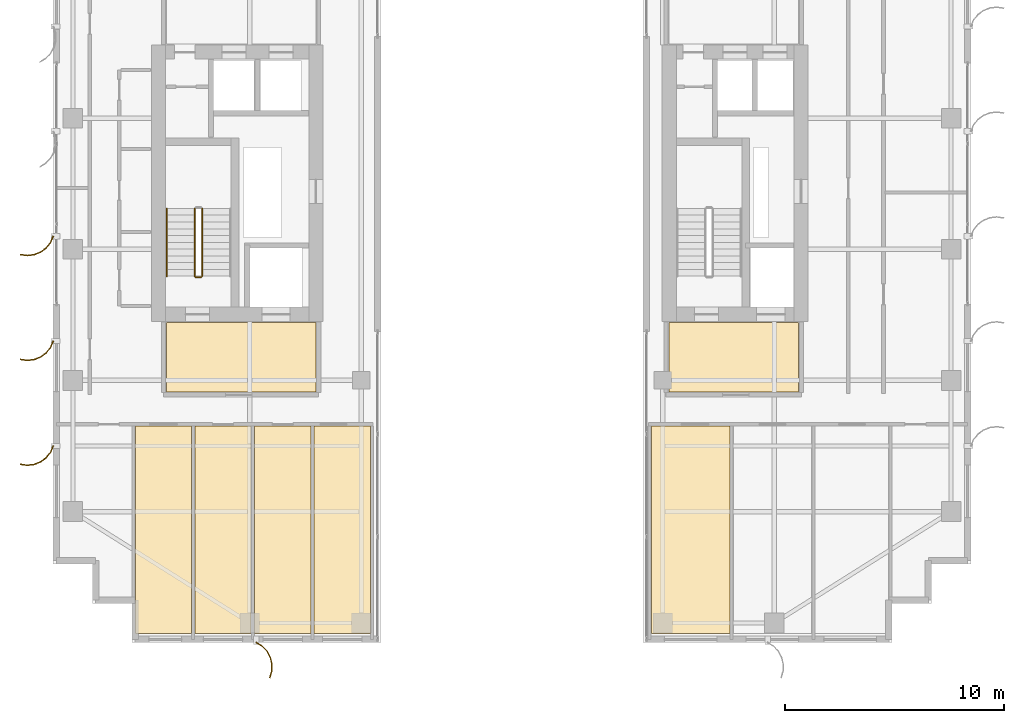
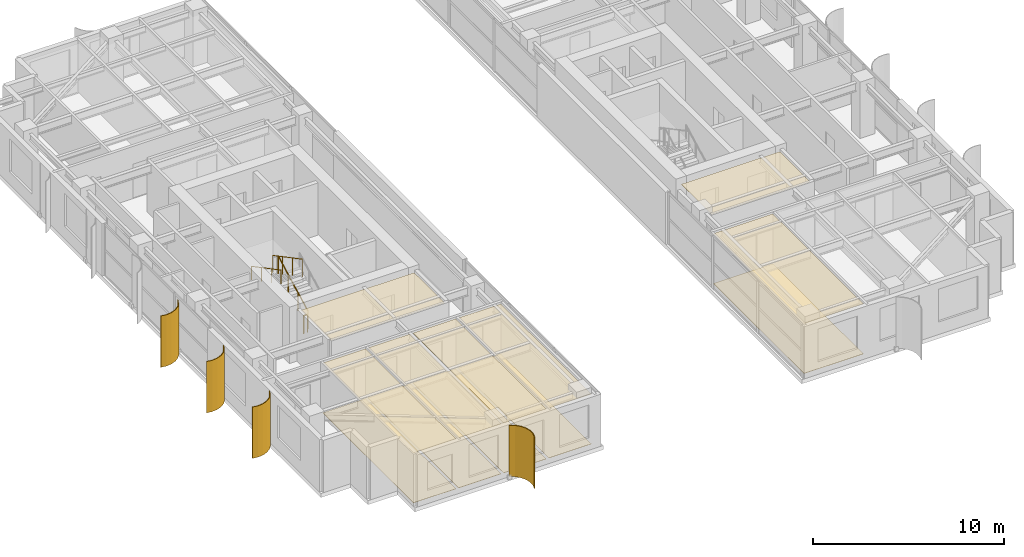
# One storey, part 20 of 22: 12 coverings, 4 railings, 4 shading devices.
"""IFC4 building model written with IfcOpenShell, lengths in metres."""

from ifc_helpers import new_model, si_unit, direction, frame, origin, origin_2d, place, context, subcontext, project, spatial, polyline, circle, outline, extrude, source, transform, mapped, material, layer, layer_set, type_object, element, save


model = new_model("IFC4")

# Units and contexts
model_context = context("Model", 3, precision=1e-05, world=origin(), true_north=direction((0.0, 1.0)))
body_context = subcontext(model_context, "Body", "Model", "MODEL_VIEW")
ifc_project = project(units=[si_unit("LENGTHUNIT", "METRE"), si_unit("AREAUNIT", "SQUARE_METRE"), si_unit("VOLUMEUNIT", "CUBIC_METRE"), si_unit("PLANEANGLEUNIT", "RADIAN"), si_unit("MASSUNIT", "GRAM", prefix="KILO")], contexts=[model_context])

# Site, building, storey
site_placement = place(None, origin())
site = spatial("IfcSite", under=ifc_project, at=site_placement, CompositionType="ELEMENT")
building_placement = place(site_placement, origin())
building = spatial("IfcBuilding", under=site, at=building_placement, Name="Khoralis Quay Care Tower", CompositionType="ELEMENT")
storey_placement = place(building_placement, frame((0.0, 0.0, 191.699951171875)))
storey = spatial("IfcBuildingStorey", under=building, at=storey_placement, Name="L50", CompositionType="ELEMENT", Elevation=191.699951171875)

# Coverings
ifc_material_1 = material(Name="Mineral-fibre acoustic ceiling tile")
ifc_layer_1 = layer(ifc_material_1, 0.01806640625)
ifc_layer_set_1 = layer_set([ifc_layer_1], Name="Mineral-fibre acoustic ceiling tile")
covering_type_1 = type_object("IfcCoveringType", Name="COV-CEIL-AC18", PredefinedType="CEILING", material=ifc_layer_set_1)
covering_1_placement = place(storey_placement, frame((0.0, 0.0, 3.192138671875)))
element("IfcCovering", 1, at=covering_1_placement, inside=storey, type_object=covering_type_1, Name="Suspended Acoustic Ceiling SP-L50-FFLOB-W", PredefinedType="CEILING", context=body_context, shape_type="SweptSolid", body=[
    extrude(outline(polyline([(8.179931640625, 11.47998046875), (15.02001953125, 11.47998046875), (15.02001953125, 14.64990234375), (8.179931640625, 14.64990234375), (8.179931640625, 11.47998046875)])), origin(), (0.0, 0.0, 1.0), 0.017822265625),
])
covering_2_placement = place(storey_placement, frame((0.0, 0.0, 3.192138671875)))
element("IfcCovering", 2, at=covering_2_placement, inside=storey, type_object=covering_type_1, Name="Suspended Acoustic Ceiling SP-L50-FFLOB-E", PredefinedType="CEILING", context=body_context, shape_type="SweptSolid", body=[
    extrude(outline(polyline([(31.179931640625, 11.47998046875), (37.1201171875, 11.47998046875), (37.1201171875, 14.64990234375), (31.179931640625, 14.64990234375), (31.179931640625, 11.47998046875)])), origin(), (0.0, 0.0, 1.0), 0.017822265625),
])
covering_3_placement = place(storey_placement, frame((0.0, 0.0, 3.192138671875)))
element("IfcCovering", 3, at=covering_3_placement, inside=storey, type_object=covering_type_1, Name="Suspended Acoustic Ceiling SP-L50-WS-COM0", PredefinedType="CEILING", context=body_context, shape_type="SweptSolid", body=[
    extrude(outline(polyline([(6.760009765625, 0.419921875), (9.330078125, 0.419921875), (9.330078125, 9.909912109375), (6.760009765625, 9.909912109375), (6.760009765625, 0.419921875)])), origin(), (0.0, 0.0, 1.0), 0.017822265625),
])
covering_4_placement = place(storey_placement, frame((0.0, 0.0, 3.192138671875)))
element("IfcCovering", 4, at=covering_4_placement, inside=storey, type_object=covering_type_1, Name="Suspended Acoustic Ceiling SP-L50-WS-COM1", PredefinedType="CEILING", context=body_context, shape_type="SweptSolid", body=[
    extrude(outline(polyline([(9.489990234375, 0.419921875), (12.06005859375, 0.419921875), (12.06005859375, 9.909912109375), (9.489990234375, 9.909912109375), (9.489990234375, 0.419921875)])), origin(), (0.0, 0.0, 1.0), 0.017822265625),
])
covering_5_placement = place(storey_placement, frame((0.0, 0.0, 3.192138671875)))
element("IfcCovering", 5, at=covering_5_placement, inside=storey, type_object=covering_type_1, Name="Suspended Acoustic Ceiling SP-L50-WS-COM2", PredefinedType="CEILING", context=body_context, shape_type="SweptSolid", body=[
    extrude(outline(polyline([(12.219970703125, 0.419921875), (14.7900390625, 0.419921875), (14.7900390625, 9.909912109375), (12.219970703125, 9.909912109375), (12.219970703125, 0.419921875)])), origin(), (0.0, 0.0, 1.0), 0.017822265625),
])
covering_6_placement = place(storey_placement, frame((0.0, 0.0, 3.192138671875)))
element("IfcCovering", 6, at=covering_6_placement, inside=storey, type_object=covering_type_1, Name="Suspended Acoustic Ceiling SP-L50-WS-COM3", PredefinedType="CEILING", context=body_context, shape_type="SweptSolid", body=[
    extrude(outline(polyline([(14.949951171875, 0.419921875), (17.52001953125, 0.419921875), (17.52001953125, 9.909912109375), (14.949951171875, 9.909912109375), (14.949951171875, 0.419921875)])), origin(), (0.0, 0.0, 1.0), 0.017822265625),
])
covering_7_placement = place(storey_placement, frame((0.0, 0.0, 3.192138671875)))
element("IfcCovering", 7, at=covering_7_placement, inside=storey, type_object=covering_type_1, Name="Suspended Acoustic Ceiling SP-L50-ES-COM0", PredefinedType="CEILING", context=body_context, shape_type="SweptSolid", body=[
    extrude(outline(polyline([(30.3798828125, 0.419921875), (33.969970703125, 0.419921875), (33.969970703125, 9.909912109375), (30.3798828125, 9.909912109375), (30.3798828125, 0.419921875)])), origin(), (0.0, 0.0, 1.0), 0.017822265625),
])
ifc_material_2 = material(Name="Porcelain and non-slip vinyl flooring")
ifc_layer_2 = layer(ifc_material_2, 0.02001953125)
ifc_layer_set_2 = layer_set([ifc_layer_2], Name="Porcelain and non-slip vinyl flooring")
covering_type_2 = type_object("IfcCoveringType", Name="COV-FLOOR-20", PredefinedType="FLOORING", material=ifc_layer_set_2)
covering_8_placement = place(storey_placement, origin())
element("IfcCovering", 8, at=covering_8_placement, inside=storey, type_object=covering_type_2, Name="Resilient Healthcare Flooring SP-L50-WS-COM0", PredefinedType="FLOORING", context=body_context, shape_type="SweptSolid", body=[
    extrude(outline(polyline([(6.760009765625, 0.419921875), (9.330078125, 0.419921875), (9.330078125, 9.909912109375), (6.760009765625, 9.909912109375), (6.760009765625, 0.419921875)])), origin(), (0.0, 0.0, 1.0), 0.02001953125),
])
covering_9_placement = place(storey_placement, origin())
element("IfcCovering", 9, at=covering_9_placement, inside=storey, type_object=covering_type_2, Name="Resilient Healthcare Flooring SP-L50-WS-COM1", PredefinedType="FLOORING", context=body_context, shape_type="SweptSolid", body=[
    extrude(outline(polyline([(9.489990234375, 0.419921875), (12.06005859375, 0.419921875), (12.06005859375, 9.909912109375), (9.489990234375, 9.909912109375), (9.489990234375, 0.419921875)])), origin(), (0.0, 0.0, 1.0), 0.02001953125),
])
covering_10_placement = place(storey_placement, origin())
element("IfcCovering", 10, at=covering_10_placement, inside=storey, type_object=covering_type_2, Name="Resilient Healthcare Flooring SP-L50-WS-COM2", PredefinedType="FLOORING", context=body_context, shape_type="SweptSolid", body=[
    extrude(outline(polyline([(12.219970703125, 0.419921875), (14.7900390625, 0.419921875), (14.7900390625, 9.909912109375), (12.219970703125, 9.909912109375), (12.219970703125, 0.419921875)])), origin(), (0.0, 0.0, 1.0), 0.02001953125),
])
covering_11_placement = place(storey_placement, origin())
element("IfcCovering", 11, at=covering_11_placement, inside=storey, type_object=covering_type_2, Name="Resilient Healthcare Flooring SP-L50-WS-COM3", PredefinedType="FLOORING", context=body_context, shape_type="SweptSolid", body=[
    extrude(outline(polyline([(14.949951171875, 0.419921875), (17.52001953125, 0.419921875), (17.52001953125, 9.909912109375), (14.949951171875, 9.909912109375), (14.949951171875, 0.419921875)])), origin(), (0.0, 0.0, 1.0), 0.02001953125),
])
covering_12_placement = place(storey_placement, origin())
element("IfcCovering", 12, at=covering_12_placement, inside=storey, type_object=covering_type_2, Name="Resilient Healthcare Flooring SP-L50-ES-COM0", PredefinedType="FLOORING", context=body_context, shape_type="SweptSolid", body=[
    extrude(outline(polyline([(30.3798828125, 0.419921875), (33.969970703125, 0.419921875), (33.969970703125, 9.909912109375), (30.3798828125, 9.909912109375), (30.3798828125, 0.419921875)])), origin(), (0.0, 0.0, 1.0), 0.02001953125),
])

# Railings
ifc_material_3 = material(Name="Brushed stainless steel", Category="steel")
railing_type_1 = type_object("IfcRailingType", Name="RL-GUARD-1150", PredefinedType="GUARDRAIL", material=ifc_material_3)
railing_1_placement = place(storey_placement, frame((9.820068359375, 16.77001953125, 0.16357421875)))
element("IfcRailing", 13, at=railing_1_placement, inside=storey, type_object=railing_type_1, Name="L50 ST-T1 stair guard 1", PredefinedType="GUARDRAIL", context=body_context, shape_type="SweptSolid", body=[
    extrude(circle(Radius=0.02392578125, at=origin_2d()), frame((0.0, 0.0, 1.1259765625), z_axis=(0.0, 0.884348015382, 0.466828220752), x_axis=(-1.0, 0.0, 0.0)), (0.0, 0.0, 1.0), 3.505615234375),
    extrude(circle(Radius=0.02099609375, at=origin_2d()), origin(), (0.0, 0.0, 1.0), 1.101806640625),
    extrude(circle(Radius=0.02099609375, at=origin_2d()), frame((0.0, 1.033447265625, 0.54541015625)), (0.0, 0.0, 1.0), 1.101806640625),
    extrude(circle(Radius=0.02099609375, at=origin_2d()), frame((0.0, 2.066650390625, 1.091064453125)), (0.0, 0.0, 1.0), 1.101806640625),
    extrude(circle(Radius=0.02099609375, at=origin_2d()), frame((0.0, 3.10009765625, 1.636474609375)), (0.0, 0.0, 1.0), 1.101806640625),
])
railing_2_placement = place(storey_placement, frame((9.47998046875, 19.8701171875, 1.963623046875)))
element("IfcRailing", 14, at=railing_2_placement, inside=storey, type_object=railing_type_1, Name="L50 ST-T1 stair guard 3", PredefinedType="GUARDRAIL", context=body_context, shape_type="SweptSolid", body=[
    extrude(circle(Radius=0.02392578125, at=origin_2d()), frame((0.0, 0.0, 1.1259765625), z_axis=(0.0, -0.884348015382, 0.466828220752), x_axis=(1.0, 0.0, 0.0)), (0.0, 0.0, 1.0), 3.505615234375),
    extrude(circle(Radius=0.02099609375, at=origin_2d()), origin(), (0.0, 0.0, 1.0), 1.101806640625),
    extrude(circle(Radius=0.02099609375, at=origin_2d()), frame((0.0, -1.033447265625, 0.54541015625)), (0.0, 0.0, 1.0), 1.101806640625),
    extrude(circle(Radius=0.02099609375, at=origin_2d()), frame((0.0, -2.066650390625, 1.091064453125)), (0.0, 0.0, 1.0), 1.101806640625),
    extrude(circle(Radius=0.02099609375, at=origin_2d()), frame((0.0, -3.10009765625, 1.636474609375)), (0.0, 0.0, 1.0), 1.101806640625),
])
railing_3_placement = place(storey_placement, frame((9.77001953125, 16.719970703125, 0.0)))
element("IfcRailing", 15, at=railing_3_placement, inside=storey, type_object=railing_type_1, Name="L50 ST-T1 stair guard 4", PredefinedType="GUARDRAIL", context=body_context, shape_type="SweptSolid", body=[
    extrude(circle(Radius=0.02392578125, at=origin_2d()), frame((0.0, 0.0, 1.1259765625), z_axis=(-1.0, 0.0, 0.0), x_axis=(0.0, -1.0, 0.0)), (0.0, 0.0, 1.0), 0.239990234375),
    extrude(circle(Radius=0.02099609375, at=origin_2d()), origin(), (0.0, 0.0, 1.0), 1.101806640625),
    extrude(circle(Radius=0.02099609375, at=origin_2d()), frame((-0.239990234375, 0.0, 0.0)), (0.0, 0.0, 1.0), 1.101806640625),
])
railing_type_2 = type_object("IfcRailingType", Name="RL-HAND-900", PredefinedType="HANDRAIL", material=ifc_material_3)
railing_4_placement = place(storey_placement, frame((8.199951171875, 19.8701171875, 1.963623046875)))
element("IfcRailing", 16, at=railing_4_placement, inside=storey, type_object=railing_type_2, Name="L50 ST-T1 stair handrail 2", PredefinedType="HANDRAIL", context=body_context, shape_type="SweptSolid", body=[
    extrude(circle(Radius=0.02392578125, at=origin_2d()), frame((0.0, 0.0, 0.8759765625), z_axis=(0.0, -0.884348015382, 0.466828220752), x_axis=(1.0, 0.0, 0.0)), (0.0, 0.0, 1.0), 3.505615234375),
    extrude(circle(Radius=0.02099609375, at=origin_2d()), origin(), (0.0, 0.0, 1.0), 0.851806640625),
    extrude(circle(Radius=0.02099609375, at=origin_2d()), frame((0.0, -1.033447265625, 0.54541015625)), (0.0, 0.0, 1.0), 0.851806640625),
    extrude(circle(Radius=0.02099609375, at=origin_2d()), frame((0.0, -2.066650390625, 1.091064453125)), (0.0, 0.0, 1.0), 0.851806640625),
    extrude(circle(Radius=0.02099609375, at=origin_2d()), frame((0.0, -3.10009765625, 1.636474609375)), (0.0, 0.0, 1.0), 0.851806640625),
])

# Shading devices
ifc_material_4 = material(Name="Brushed pale anodised aluminium", Category="aluminium")
ifc_layer_3 = layer(ifc_material_4, 0.044921875)
ifc_layer_set_3 = layer_set([ifc_layer_3], Name="Brushed pale anodised aluminium")
shading_device_type = type_object("IfcShadingDeviceType", Name="SHD-FIN-1250", PredefinedType="USERDEFINED", material=ifc_layer_set_3)
shared_shape_1 = source(origin(), body_context, "Body", "SweptSolid", [
    extrude(outline(polyline([(0.0, 0.0), (0.17041015625, 0.2783203125), (0.4072265625, 0.5029296875), (0.694091796875, 0.658447265625), (1.01123046875, 0.734619140625), (1.33740234375, 0.72607421875), (1.650390625, 0.633544921875), (1.632080078125, 0.59228515625), (1.330322265625, 0.681640625), (1.015869140625, 0.68994140625), (0.710205078125, 0.616455078125), (0.43359375, 0.466552734375), (0.20556640625, 0.25), (0.041015625, -0.018310546875), (0.0, 0.0)])), origin(), (0.0, 0.0, 1.0), 3.280029296875),
])
shading_device_placement = place(storey_placement, frame((12.300048828125, 0.030029296875, 0.02001953125), z_axis=(0.0, 0.0, 1.0), x_axis=(0.0, -1.0, 0.0)))
element("IfcShadingDevice", 17, at=shading_device_placement, inside=storey, type_object=shading_device_type, Name="L50 Curved Solar Fin P1E0-01", ObjectType="FIN", PredefinedType="USERDEFINED", context=body_context, shape_type="MappedRepresentation", body=[
    mapped(shared_shape_1, transform((0.0, 0.0, 0.0), scale=1.0)),
])
shared_shape_2 = source(origin(), body_context, "Body", "SweptSolid", [
    extrude(outline(polyline([(0.0, 0.0), (0.130126953125, 0.29931640625), (0.333251953125, 0.5546875), (0.595458984375, 0.748779296875), (0.899169921875, 0.868408203125), (1.223388671875, 0.9052734375), (1.546142578125, 0.85693359375), (1.53369140625, 0.813720703125), (1.22265625, 0.8603515625), (0.91015625, 0.82470703125), (0.617431640625, 0.70947265625), (0.364501953125, 0.522216796875), (0.168701171875, 0.276123046875), (0.043212890625, -0.012451171875), (0.0, 0.0)])), origin(), (0.0, 0.0, 1.0), 3.280029296875),
])
for number, where, z_axis, x_axis, name in (
    (18, (3.030029296875, 18.60009765625, 0.02001953125), (0.0, 0.0, 1.0), (-1.0, 0.0, 0.0), "L50 Curved Solar Fin P1E7-04"),
    (19, (3.030029296875, 13.800048828125, 0.02001953125), (0.0, 0.0, 1.0), (-1.0, 0.0, 0.0), "L50 Curved Solar Fin P1E7-05"),
    (20, (3.030029296875, 9.0, 0.02001953125), (0.0, 0.0, 1.0), (-1.0, 0.0, 0.0), "L50 Curved Solar Fin P1E7-06"),
):
    element("IfcShadingDevice", number, at=place(storey_placement, frame(where, z_axis=z_axis, x_axis=x_axis)), inside=storey, type_object=shading_device_type, Name=name, ObjectType="FIN", PredefinedType="USERDEFINED", context=body_context, shape_type="MappedRepresentation", body=[
        mapped(shared_shape_2, transform((0.0, 0.0, 0.0), scale=1.0)),
    ])

save(model, "model.ifc")
